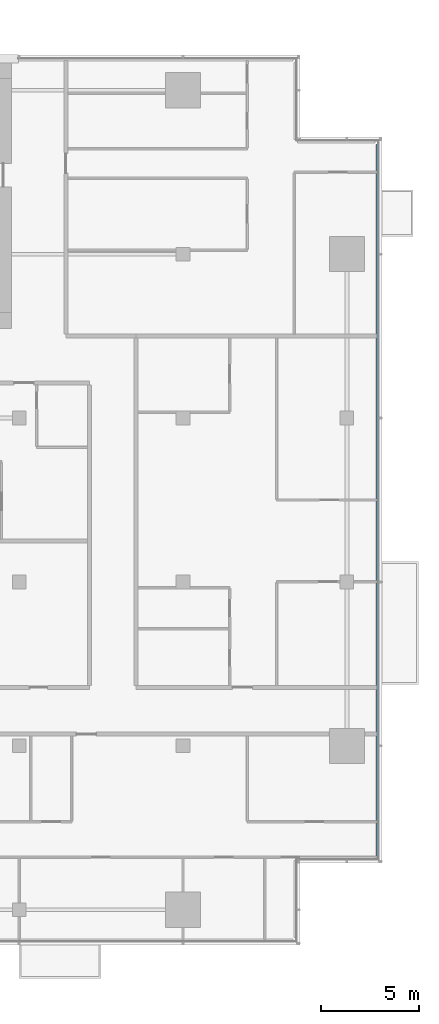
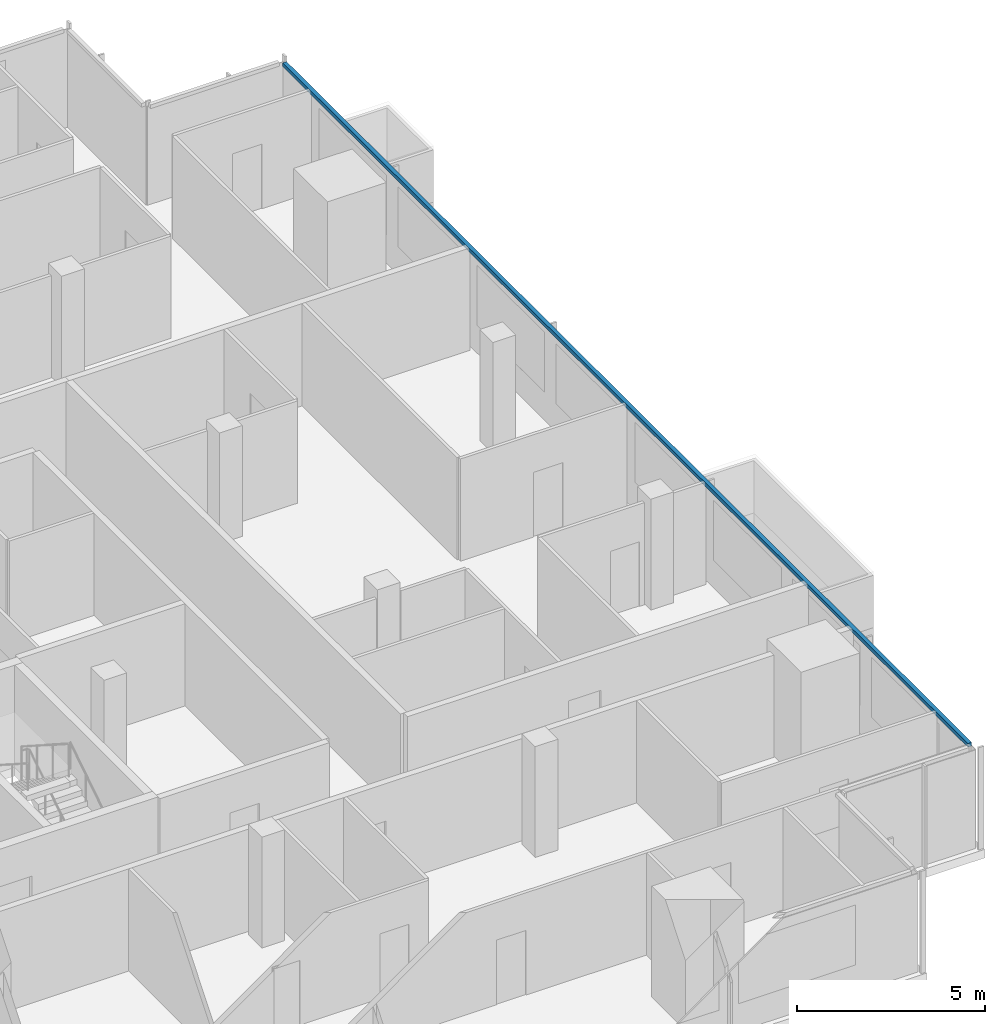
# One storey, part 12 of 27: 1 member, 1 element without a shape of its own.
"""IFC4 building model written with IfcOpenShell, lengths in metres."""

from ifc_helpers import new_model, si_unit, direction, frame, origin, origin_2d, place, context, subcontext, project, spatial, rectangle, extrude, material, material_profile, profile_set, type_object, element, aggregate, save


model = new_model("IFC4")

# Units and contexts
model_context = context("Model", 3, precision=1e-05, world=origin(), true_north=direction((0.0, 1.0)))
body_context = subcontext(model_context, "Body", "Model", "MODEL_VIEW")
ifc_project = project(units=[si_unit("LENGTHUNIT", "METRE"), si_unit("AREAUNIT", "SQUARE_METRE"), si_unit("VOLUMEUNIT", "CUBIC_METRE"), si_unit("PLANEANGLEUNIT", "RADIAN"), si_unit("MASSUNIT", "GRAM", prefix="KILO")], contexts=[model_context])

# Site, building, storey
site_placement = place(None, origin())
site = spatial("IfcSite", under=ifc_project, at=site_placement, CompositionType="ELEMENT")
building_placement = place(site_placement, origin())
building = spatial("IfcBuilding", under=site, at=building_placement, Name="Saffron Gate Tower", CompositionType="ELEMENT")
storey_placement = place(building_placement, frame((0.0, 0.0, 172.64990234375)))
storey = spatial("IfcBuildingStorey", under=building, at=storey_placement, Name="L42", CompositionType="ELEMENT", Elevation=172.64990234375)

# Curtain wall, member
ifc_material = material(Name="Aluminium, bronze anodised", Category="aluminium")
curtain_wall_type = type_object("IfcCurtainWallType", Name="CWS2 curtain wall side facades", PredefinedType="NOTDEFINED", material=ifc_material)
curtain_wall_placement = place(storey_placement, origin())
curtain_wall = element("IfcCurtainWall", 1, at=curtain_wall_placement, inside=storey, type_object=curtain_wall_type, Name="CWS2 run 4", PredefinedType="NOTDEFINED")
ifc_material_profile = material_profile(ifc_material, rectangle(XDim=0.1201171875, YDim=0.1201171875, at=origin_2d()))
ifc_profile_set = profile_set([ifc_material_profile], Name="Aluminium, bronze anodised")
member_type = type_object("IfcMemberType", Name="CWS2 head transom", PredefinedType="USERDEFINED", material=ifc_profile_set)
member_placement = place(storey_placement, frame((126.951904296875, 34.568115234375, 3.260009765625), z_axis=(0.0, 1.0, 0.0), x_axis=(-1.0, 0.0, 0.0)))
member = element("IfcMember", 2, at=member_placement, type_object=member_type, Name="CWS2 head transom", ObjectType="TRANSOM", PredefinedType="USERDEFINED", context=body_context, shape_type="SweptSolid", body=[
    extrude(rectangle(XDim=0.1201171875, YDim=0.1201171875, at=origin_2d()), origin(), (0.0, 0.0, 1.0), 36.4638671875),
])
aggregate(curtain_wall, [member])

save(model, "model.ifc")
